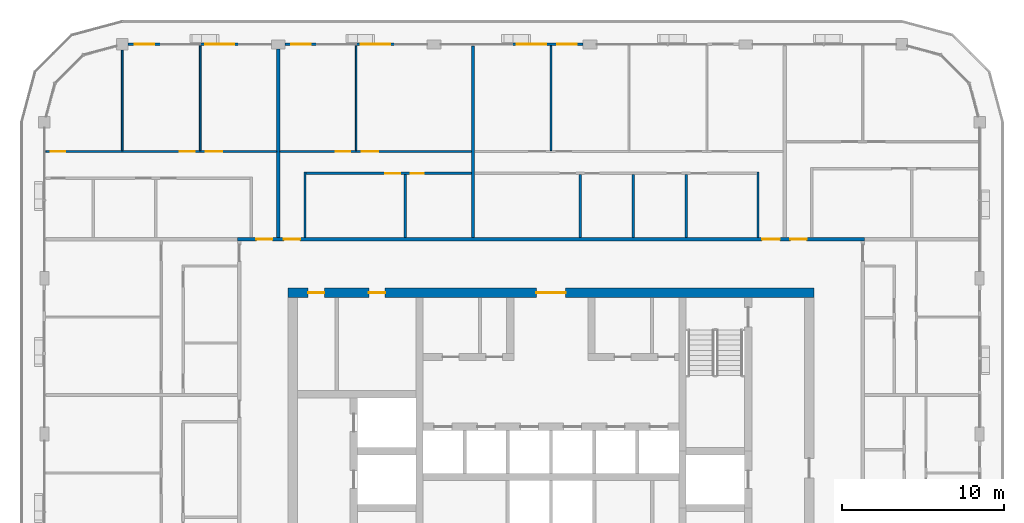
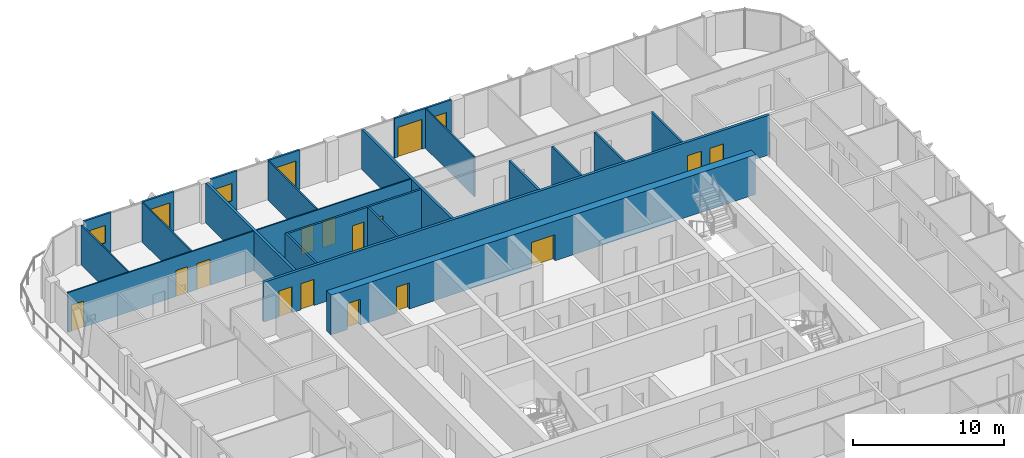
# One storey, part 14 of 21: 22 walls, 17 doors, 3 windows, 20 openings.
"""IFC4 building model written with IfcOpenShell, lengths in metres."""

from ifc_helpers import new_model, si_unit, direction, frame, frame_2d, origin, place, context, subcontext, project, spatial, rectangle, extrude, material, layer, layer_set, type_object, element, fill, save


model = new_model("IFC4")

# Units and contexts
model_context = context("Model", 3, precision=1e-05, world=origin(), true_north=direction((0.0, 1.0)))
body_context = subcontext(model_context, "Body", "Model", "MODEL_VIEW")
ifc_project = project(units=[si_unit("LENGTHUNIT", "METRE"), si_unit("AREAUNIT", "SQUARE_METRE"), si_unit("VOLUMEUNIT", "CUBIC_METRE"), si_unit("PLANEANGLEUNIT", "RADIAN"), si_unit("MASSUNIT", "GRAM", prefix="KILO")], contexts=[model_context])

# Site, building, storey
site_placement = place(None, origin())
site = spatial("IfcSite", under=ifc_project, at=site_placement, CompositionType="ELEMENT")
building_placement = place(site_placement, origin())
building = spatial("IfcBuilding", under=site, at=building_placement, Name="Madar Terraces", CompositionType="ELEMENT")
storey_placement = place(building_placement, frame((0.0, 0.0, 238.699951171875)))
storey = spatial("IfcBuildingStorey", under=building, at=storey_placement, Name="L62", CompositionType="ELEMENT", Elevation=238.699951171875)

# Wall, openings, doors
ifc_material_1 = material(Name="Concrete C55/67", Category="concrete")
ifc_layer_1 = layer(ifc_material_1, 0.60009765625)
ifc_layer_set_1 = layer_set([ifc_layer_1], Name="Concrete C55/67 (CRW5 RC wall 600)")
wall_type_1 = type_object("IfcWallType", Name="CRW5 RC wall 600", PredefinedType="SHEAR", material=ifc_layer_set_1)
wall_1_placement = place(storey_placement, frame((15.0, 37.5, 0.0), z_axis=(0.0, 0.0, 1.0), x_axis=(1.0, 0.0, 0.0)))
wall_1 = element("IfcWall", 1, at=wall_1_placement, inside=storey, type_object=wall_type_1, Name="CORE OUTER WALL", PredefinedType="SHEAR", context=body_context, shape_type="SweptSolid", body=[
    extrude(rectangle(XDim=32.39990234375, YDim=0.60009765625, at=frame_2d((16.199951171875, 0.0))), origin(), (0.0, 0.0, 1.0), 3.199951171875),
])
opening_1_placement = place(wall_1_placement, frame((15.300048828125, 0.0, 0.0)))
opening_1 = element("IfcOpeningElement", 2, at=opening_1_placement, cuts=wall_1, Name="Opening KD1", PredefinedType="OPENING", context=body_context, shape_type="SweptSolid", body=[
    extrude(rectangle(XDim=1.800048828125, YDim=2.10009765625, at=frame_2d((0.89990234375, 1.050048828125))), frame((0.0, 0.31005859375, 0.0), z_axis=(0.0, -1.0, 0.0), x_axis=(1.0, 0.0, 0.0)), (0.0, 0.0, 1.0), 0.6201171875),
])
opening_2_placement = place(wall_1_placement, frame((1.25048828125, 0.0, 0.0)))
opening_2 = element("IfcOpeningElement", 3, at=opening_2_placement, cuts=wall_1, Name="Opening KD2", PredefinedType="OPENING", context=body_context, shape_type="SweptSolid", body=[
    extrude(rectangle(XDim=1.0, YDim=2.10009765625, at=frame_2d((0.5, 1.050048828125))), frame((0.0, 0.31005859375, 0.0), z_axis=(0.0, -1.0, 0.0), x_axis=(1.0, 0.0, 0.0)), (0.0, 0.0, 1.0), 0.6201171875),
])
opening_3_placement = place(wall_1_placement, frame((4.98779296875, 0.0, 0.0)))
opening_3 = element("IfcOpeningElement", 4, at=opening_3_placement, cuts=wall_1, Name="Opening KD2", PredefinedType="OPENING", context=body_context, shape_type="SweptSolid", body=[
    extrude(rectangle(XDim=1.0, YDim=2.10009765625, at=frame_2d((0.5, 1.050048828125))), frame((0.0, 0.31005859375, 0.0), z_axis=(0.0, -1.0, 0.0), x_axis=(1.0, 0.0, 0.0)), (0.0, 0.0, 1.0), 0.6201171875),
])
ifc_material_2 = material(Name="Steel door leaf", Category="steel")
door_type_1 = type_object("IfcDoorType", Name="Lobby door pair 1800 x 2100", OperationType="DOUBLE_DOOR_SINGLE_SWING", PredefinedType="DOOR", material=ifc_material_2)
door_1_placement = place(opening_1_placement, origin())
door_1 = element("IfcDoor", 5, at=door_1_placement, inside=storey, type_object=door_type_1, Name="LIFT LOBBY DOOR", OperationType="DOUBLE_DOOR_SINGLE_SWING", OverallHeight=2.10009765625, OverallWidth=1.800048828125, PredefinedType="DOOR", context=body_context, shape_type="SweptSolid", body=[
    extrude(rectangle(XDim=1.800048828125, YDim=2.10009765625, at=frame_2d((0.89990234375, 1.050048828125))), frame((0.0, 0.02490234375, 0.0), z_axis=(0.0, -1.0, 0.0), x_axis=(1.0, 0.0, 0.0)), (0.0, 0.0, 1.0), 0.050048828125),
])
fill(opening_1, door_1)
ifc_material_3 = material(Name="Steel door leaf", Category="steel")
door_type_2 = type_object("IfcDoorType", Name="Service room door 1000 x 2100", OperationType="NOTDEFINED", PredefinedType="DOOR", material=ifc_material_3)
door_2_placement = place(opening_2_placement, origin())
door_2 = element("IfcDoor", 6, at=door_2_placement, inside=storey, type_object=door_type_2, Name="SERVICE ROOM DOOR", OperationType="SINGLE_SWING_LEFT", OverallHeight=2.10009765625, OverallWidth=1.0, PredefinedType="DOOR", context=body_context, shape_type="SweptSolid", body=[
    extrude(rectangle(XDim=1.0, YDim=2.10009765625, at=frame_2d((0.5, 1.050048828125))), frame((0.0, 0.02490234375, 0.0), z_axis=(0.0, -1.0, 0.0), x_axis=(1.0, 0.0, 0.0)), (0.0, 0.0, 1.0), 0.050048828125),
])
fill(opening_2, door_2)
door_3_placement = place(opening_3_placement, origin())
door_3 = element("IfcDoor", 7, at=door_3_placement, inside=storey, type_object=door_type_2, Name="SERVICE ROOM DOOR", OperationType="SINGLE_SWING_RIGHT", OverallHeight=2.10009765625, OverallWidth=1.0, PredefinedType="DOOR", context=body_context, shape_type="SweptSolid", body=[
    extrude(rectangle(XDim=1.0, YDim=2.10009765625, at=frame_2d((0.5, 1.050048828125))), frame((0.0, 0.02490234375, 0.0), z_axis=(0.0, -1.0, 0.0), x_axis=(1.0, 0.0, 0.0)), (0.0, 0.0, 1.0), 0.050048828125),
])
fill(opening_3, door_3)

# Wall, openings, door, window
ifc_material_4 = material(Name="Aluminium composite panel, black, over insulated backing", Category="aluminium")
ifc_layer_2 = layer(ifc_material_4, 0.14990234375)
ifc_layer_set_2 = layer_set([ifc_layer_2], Name="Facade bay panel 150")
wall_type_2 = type_object("IfcWallType", Name="Facade bay panel 150", PredefinedType="SOLIDWALL", material=ifc_layer_set_2)
wall_2_placement = place(storey_placement, frame((33.175048828125, 52.800048828125, 0.0), z_axis=(0.0, 0.0, 1.0), x_axis=(-1.0, 0.0, 0.0)))
wall_2 = element("IfcWall", 8, at=wall_2_placement, inside=storey, type_object=wall_type_2, Name="Facade bay panel", PredefinedType="SOLIDWALL", context=body_context, shape_type="SweptSolid", body=[
    extrude(rectangle(XDim=4.375, YDim=0.14990234375, at=frame_2d((2.1875, 0.0))), origin(), (0.0, 0.0, 1.0), 3.199951171875),
])
opening_4_placement = place(wall_2_placement, frame((0.387451171875, 0.0, 0.89990234375)))
opening_4 = element("IfcOpeningElement", 9, at=opening_4_placement, cuts=wall_2, Name="Opening W1", PredefinedType="OPENING", context=body_context, shape_type="SweptSolid", body=[
    extrude(rectangle(XDim=1.199951171875, YDim=1.39990234375, at=frame_2d((0.60009765625, 0.699951171875))), frame((0.0, 0.0849609375, 0.0), z_axis=(0.0, -1.0, 0.0), x_axis=(1.0, 0.0, 0.0)), (0.0, 0.0, 1.0), 0.169921875),
])
opening_5_placement = place(wall_2_placement, frame((2.27490234375, 0.0, 0.0)))
opening_5 = element("IfcOpeningElement", 10, at=opening_5_placement, cuts=wall_2, Name="Opening ED1", PredefinedType="OPENING", context=body_context, shape_type="SweptSolid", body=[
    extrude(rectangle(XDim=1.800048828125, YDim=2.39990234375, at=frame_2d((0.89990234375, 1.199951171875))), frame((0.0, 0.0849609375, 0.0), z_axis=(0.0, -1.0, 0.0), x_axis=(1.0, 0.0, 0.0)), (0.0, 0.0, 1.0), 0.169921875),
])
ifc_material_5 = material(Name="Glass, clear, with black aluminium frame", Category="aluminium")
door_type_3 = type_object("IfcDoorType", Name="Balcony and terrace sliding door 1800 x 2400", OperationType="SLIDING_TO_LEFT", PredefinedType="DOOR", material=ifc_material_5)
door_4_placement = place(opening_5_placement, origin())
door_4 = element("IfcDoor", 11, at=door_4_placement, inside=storey, type_object=door_type_3, Name="Balcony door", OperationType="SLIDING_TO_RIGHT", OverallHeight=2.39990234375, OverallWidth=1.800048828125, PredefinedType="DOOR", context=body_context, shape_type="SweptSolid", body=[
    extrude(rectangle(XDim=1.800048828125, YDim=2.39990234375, at=frame_2d((0.89990234375, 1.199951171875))), frame((0.0, 0.02490234375, 0.0), z_axis=(0.0, -1.0, 0.0), x_axis=(1.0, 0.0, 0.0)), (0.0, 0.0, 1.0), 0.050048828125),
])
fill(opening_5, door_4)
ifc_material_6 = material(Name="Glass, clear, with black aluminium frame", Category="aluminium")
window_type = type_object("IfcWindowType", Name="Vent window 1200 x 1400", PartitioningType="SINGLE_PANEL", PredefinedType="WINDOW", material=ifc_material_6)
window_1_placement = place(opening_4_placement, origin())
window_1 = element("IfcWindow", 12, at=window_1_placement, inside=storey, type_object=window_type, Name="Operable vent window", OverallHeight=1.39990234375, OverallWidth=1.199951171875, PartitioningType="SINGLE_PANEL", PredefinedType="WINDOW", context=body_context, shape_type="SweptSolid", body=[
    extrude(rectangle(XDim=1.199951171875, YDim=1.39990234375, at=frame_2d((0.60009765625, 0.699951171875))), frame((0.0, 0.030029296875, 0.0), z_axis=(0.0, -1.0, 0.0), x_axis=(1.0, 0.0, 0.0)), (0.0, 0.0, 1.0), 0.06005859375),
])
fill(opening_4, window_1)

# Wall, opening, door
wall_3_placement = place(storey_placement, frame((21.60009765625, 52.800048828125, 0.0), z_axis=(0.0, 0.0, 1.0), x_axis=(-1.0, 0.0, 0.0)))
wall_3 = element("IfcWall", 13, at=wall_3_placement, inside=storey, type_object=wall_type_2, Name="Facade bay panel", PredefinedType="SOLIDWALL", context=body_context, shape_type="SweptSolid", body=[
    extrude(rectangle(XDim=2.400146484375, YDim=0.14990234375, at=frame_2d((1.2001953125, 0.0))), origin(), (0.0, 0.0, 1.0), 3.199951171875),
])
opening_6_placement = place(wall_3_placement, frame((0.300048828125, 0.0, 0.0)))
opening_6 = element("IfcOpeningElement", 14, at=opening_6_placement, cuts=wall_3, Name="Opening ED1", PredefinedType="OPENING", context=body_context, shape_type="SweptSolid", body=[
    extrude(rectangle(XDim=1.800048828125, YDim=2.39990234375, at=frame_2d((0.89990234375, 1.199951171875))), frame((0.0, 0.0849609375, 0.0), z_axis=(0.0, -1.0, 0.0), x_axis=(1.0, 0.0, 0.0)), (0.0, 0.0, 1.0), 0.169921875),
])
door_5_placement = place(opening_6_placement, origin())
door_5 = element("IfcDoor", 15, at=door_5_placement, inside=storey, type_object=door_type_3, Name="Balcony door", OperationType="SLIDING_TO_LEFT", OverallHeight=2.39990234375, OverallWidth=1.800048828125, PredefinedType="DOOR", context=body_context, shape_type="SweptSolid", body=[
    extrude(rectangle(XDim=1.800048828125, YDim=2.39990234375, at=frame_2d((0.89990234375, 1.199951171875))), frame((0.0, 0.02490234375, 0.0), z_axis=(0.0, -1.0, 0.0), x_axis=(1.0, 0.0, 0.0)), (0.0, 0.0, 1.0), 0.050048828125),
])
fill(opening_6, door_5)

# Wall, opening, window
wall_4_placement = place(storey_placement, frame((16.800048828125, 52.800048828125, 0.0), z_axis=(0.0, 0.0, 1.0), x_axis=(-1.0, 0.0, 0.0)))
wall_4 = element("IfcWall", 16, at=wall_4_placement, inside=storey, type_object=wall_type_2, Name="Facade bay panel", PredefinedType="SOLIDWALL", context=body_context, shape_type="SweptSolid", body=[
    extrude(rectangle(XDim=1.97509765625, YDim=0.14990234375, at=frame_2d((0.987548828125, 0.0))), origin(), (0.0, 0.0, 1.0), 3.199951171875),
])
opening_7_placement = place(wall_4_placement, frame((0.387451171875, 0.0, 0.89990234375)))
opening_7 = element("IfcOpeningElement", 17, at=opening_7_placement, cuts=wall_4, Name="Opening W1", PredefinedType="OPENING", context=body_context, shape_type="SweptSolid", body=[
    extrude(rectangle(XDim=1.199951171875, YDim=1.39990234375, at=frame_2d((0.60009765625, 0.699951171875))), frame((0.0, 0.0849609375, 0.0), z_axis=(0.0, -1.0, 0.0), x_axis=(1.0, 0.0, 0.0)), (0.0, 0.0, 1.0), 0.169921875),
])
window_2_placement = place(opening_7_placement, origin())
window_2 = element("IfcWindow", 18, at=window_2_placement, inside=storey, type_object=window_type, Name="Operable vent window", OverallHeight=1.39990234375, OverallWidth=1.199951171875, PartitioningType="SINGLE_PANEL", PredefinedType="WINDOW", context=body_context, shape_type="SweptSolid", body=[
    extrude(rectangle(XDim=1.199951171875, YDim=1.39990234375, at=frame_2d((0.60009765625, 0.699951171875))), frame((0.0, 0.030029296875, 0.0), z_axis=(0.0, -1.0, 0.0), x_axis=(1.0, 0.0, 0.0)), (0.0, 0.0, 1.0), 0.06005859375),
])
fill(opening_7, window_2)

# Wall, opening, door
wall_5_placement = place(storey_placement, frame((12.0, 52.800048828125, 0.0), z_axis=(0.0, 0.0, 1.0), x_axis=(-1.0, 0.0, 0.0)))
wall_5 = element("IfcWall", 19, at=wall_5_placement, inside=storey, type_object=wall_type_2, Name="Facade bay panel", PredefinedType="SOLIDWALL", context=body_context, shape_type="SweptSolid", body=[
    extrude(rectangle(XDim=2.39990234375, YDim=0.14990234375, at=frame_2d((1.199951171875, 0.0))), origin(), (0.0, 0.0, 1.0), 3.199951171875),
])
opening_8_placement = place(wall_5_placement, frame((0.300048828125, 0.0, 0.0)))
opening_8 = element("IfcOpeningElement", 20, at=opening_8_placement, cuts=wall_5, Name="Opening ED1", PredefinedType="OPENING", context=body_context, shape_type="SweptSolid", body=[
    extrude(rectangle(XDim=1.800048828125, YDim=2.39990234375, at=frame_2d((0.89990234375, 1.199951171875))), frame((0.0, 0.0849609375, 0.0), z_axis=(0.0, -1.0, 0.0), x_axis=(1.0, 0.0, 0.0)), (0.0, 0.0, 1.0), 0.169921875),
])
door_6_placement = place(opening_8_placement, origin())
door_6 = element("IfcDoor", 21, at=door_6_placement, inside=storey, type_object=door_type_3, Name="Balcony door", OperationType="SLIDING_TO_RIGHT", OverallHeight=2.39990234375, OverallWidth=1.800048828125, PredefinedType="DOOR", context=body_context, shape_type="SweptSolid", body=[
    extrude(rectangle(XDim=1.800048828125, YDim=2.39990234375, at=frame_2d((0.89990234375, 1.199951171875))), frame((0.0, 0.02490234375, 0.0), z_axis=(0.0, -1.0, 0.0), x_axis=(1.0, 0.0, 0.0)), (0.0, 0.0, 1.0), 0.050048828125),
])
fill(opening_8, door_6)

# Wall, opening, window
wall_6_placement = place(storey_placement, frame((7.199951171875, 52.800048828125, 0.0), z_axis=(0.0, 0.0, 1.0), x_axis=(-1.0, 0.0, 0.0)))
wall_6 = element("IfcWall", 22, at=wall_6_placement, inside=storey, type_object=wall_type_2, Name="Facade bay panel", PredefinedType="SOLIDWALL", context=body_context, shape_type="SweptSolid", body=[
    extrude(rectangle(XDim=2.050048828125, YDim=0.14990234375, at=frame_2d((1.02490234375, 0.0))), origin(), (0.0, 0.0, 1.0), 3.199951171875),
])
opening_9_placement = place(wall_6_placement, frame((0.425048828125, 0.0, 0.89990234375)))
opening_9 = element("IfcOpeningElement", 23, at=opening_9_placement, cuts=wall_6, Name="Opening W1", PredefinedType="OPENING", context=body_context, shape_type="SweptSolid", body=[
    extrude(rectangle(XDim=1.199951171875, YDim=1.39990234375, at=frame_2d((0.60009765625, 0.699951171875))), frame((0.0, 0.0849609375, 0.0), z_axis=(0.0, -1.0, 0.0), x_axis=(1.0, 0.0, 0.0)), (0.0, 0.0, 1.0), 0.169921875),
])
window_3_placement = place(opening_9_placement, origin())
window_3 = element("IfcWindow", 24, at=window_3_placement, inside=storey, type_object=window_type, Name="Operable vent window", OverallHeight=1.39990234375, OverallWidth=1.199951171875, PartitioningType="SINGLE_PANEL", PredefinedType="WINDOW", context=body_context, shape_type="SweptSolid", body=[
    extrude(rectangle(XDim=1.199951171875, YDim=1.39990234375, at=frame_2d((0.60009765625, 0.699951171875))), frame((0.0, 0.030029296875, 0.0), z_axis=(0.0, -1.0, 0.0), x_axis=(1.0, 0.0, 0.0)), (0.0, 0.0, 1.0), 0.06005859375),
])
fill(opening_9, window_3)

# Walls
ifc_material_7 = material(Name="Gypsum board on steel studs", Category="steel")
ifc_layer_3 = layer(ifc_material_7, 0.10009765625)
ifc_layer_set_3 = layer_set([ifc_layer_3], Name="Flat partition 100")
wall_type_3 = type_object("IfcWallType", Name="Flat partition 100", PredefinedType="PARTITIONING", material=ifc_layer_set_3)
for number, where, z_axis, x_axis, name in (
    (25, (31.199951171875, 46.25, 0.0), (0.0, 0.0, 1.0), (0.0, 1.0, 0.0), "Flat partition 100"),
    (26, (19.199951171875, 46.25, 0.0), (0.0, 0.0, 1.0), (0.0, 1.0, 0.0), "Flat partition 100"),
):
    element("IfcWall", number, at=place(storey_placement, frame(where, z_axis=z_axis, x_axis=x_axis)), inside=storey, type_object=wall_type_3, Name=name, PredefinedType="PARTITIONING", context=body_context, shape_type="SweptSolid", body=[
        extrude(rectangle(XDim=6.449951171875, YDim=0.10009765625, at=frame_2d((3.22509765625, 0.0))), origin(), (0.0, 0.0, 1.0), 3.199951171875),
    ])

# Wall, openings, doors
wall_7_placement = place(storey_placement, frame((14.5, 46.199951171875, 0.0), z_axis=(0.0, 0.0, 1.0), x_axis=(1.0, 0.0, 0.0)))
wall_7 = element("IfcWall", 27, at=wall_7_placement, inside=storey, type_object=wall_type_3, Name="Flat partition 100", PredefinedType="PARTITIONING", context=body_context, shape_type="SweptSolid", body=[
    extrude(rectangle(XDim=11.800048828125, YDim=0.10009765625, at=frame_2d((5.89990234375, 0.0))), origin(), (0.0, 0.0, 1.0), 3.199951171875),
])
opening_10_placement = place(wall_7_placement, frame((3.449951171875, 0.0, 0.0)))
opening_10 = element("IfcOpeningElement", 28, at=opening_10_placement, cuts=wall_7, Name="Opening D2", PredefinedType="OPENING", context=body_context, shape_type="SweptSolid", body=[
    extrude(rectangle(XDim=0.89990234375, YDim=2.10009765625, at=frame_2d((0.449951171875, 1.050048828125))), frame((0.0, 0.06005859375, 0.0), z_axis=(0.0, -1.0, 0.0), x_axis=(1.0, 0.0, 0.0)), (0.0, 0.0, 1.0), 0.1201171875),
])
opening_11_placement = place(wall_7_placement, frame((5.050048828125, 0.0, 0.0)))
opening_11 = element("IfcOpeningElement", 29, at=opening_11_placement, cuts=wall_7, Name="Opening D3", PredefinedType="OPENING", context=body_context, shape_type="SweptSolid", body=[
    extrude(rectangle(XDim=1.0, YDim=2.10009765625, at=frame_2d((0.5, 1.050048828125))), frame((0.0, 0.06005859375, 0.0), z_axis=(0.0, -1.0, 0.0), x_axis=(1.0, 0.0, 0.0)), (0.0, 0.0, 1.0), 0.1201171875),
])
ifc_material_8 = material(Name="Timber door leaf", Category="wood")
door_type_4 = type_object("IfcDoorType", Name="Flat living room door 1000", OperationType="NOTDEFINED", PredefinedType="DOOR", material=ifc_material_8)
door_7_placement = place(opening_11_placement, origin())
door_7 = element("IfcDoor", 30, at=door_7_placement, inside=storey, type_object=door_type_4, Name="Flat living room door 1000", OperationType="SINGLE_SWING_LEFT", OverallHeight=2.10009765625, OverallWidth=1.0, PredefinedType="DOOR", context=body_context, shape_type="SweptSolid", body=[
    extrude(rectangle(XDim=1.0, YDim=2.10009765625, at=frame_2d((0.5, 1.050048828125))), frame((0.0, 0.02490234375, 0.0), z_axis=(0.0, -1.0, 0.0), x_axis=(1.0, 0.0, 0.0)), (0.0, 0.0, 1.0), 0.050048828125),
])
fill(opening_11, door_7)
ifc_material_9 = material(Name="Timber door leaf", Category="wood")
door_type_5 = type_object("IfcDoorType", Name="Flat room door 900", OperationType="NOTDEFINED", PredefinedType="DOOR", material=ifc_material_9)
door_8_placement = place(opening_10_placement, origin())
door_8 = element("IfcDoor", 31, at=door_8_placement, inside=storey, type_object=door_type_5, Name="Flat room door 900", OperationType="SINGLE_SWING_RIGHT", OverallHeight=2.10009765625, OverallWidth=0.89990234375, PredefinedType="DOOR", context=body_context, shape_type="SweptSolid", body=[
    extrude(rectangle(XDim=0.89990234375, YDim=2.10009765625, at=frame_2d((0.449951171875, 1.050048828125))), frame((0.0, 0.02490234375, 0.0), z_axis=(0.0, -1.0, 0.0), x_axis=(1.0, 0.0, 0.0)), (0.0, 0.0, 1.0), 0.050048828125),
])
fill(opening_10, door_8)

# Walls
wall_8_placement = place(storey_placement, frame((9.60009765625, 46.25, 0.0), z_axis=(0.0, 0.0, 1.0), x_axis=(0.0, 1.0, 0.0)))
element("IfcWall", 32, at=wall_8_placement, inside=storey, type_object=wall_type_3, Name="Flat partition 100", PredefinedType="PARTITIONING", context=body_context, shape_type="SweptSolid", body=[
    extrude(rectangle(XDim=6.449951171875, YDim=0.10009765625, at=frame_2d((3.22509765625, 0.0))), origin(), (0.0, 0.0, 1.0), 3.199951171875),
])
wall_9_placement = place(storey_placement, frame((4.800048828125, 46.25, 0.0), z_axis=(0.0, 0.0, 1.0), x_axis=(0.0, 1.0, 0.0)))
element("IfcWall", 33, at=wall_9_placement, inside=storey, type_object=wall_type_3, Name="Flat partition 100", PredefinedType="PARTITIONING", context=body_context, shape_type="SweptSolid", body=[
    extrude(rectangle(XDim=6.199951171875, YDim=0.10009765625, at=frame_2d((3.10009765625, 0.0))), origin(), (0.0, 0.0, 1.0), 3.199951171875),
])

# Wall, openings, doors
wall_10_placement = place(storey_placement, frame((0.10009765625, 46.199951171875, 0.0), z_axis=(0.0, 0.0, 1.0), x_axis=(1.0, 0.0, 0.0)))
wall_10 = element("IfcWall", 34, at=wall_10_placement, inside=storey, type_object=wall_type_3, Name="Flat partition 100", PredefinedType="PARTITIONING", context=body_context, shape_type="SweptSolid", body=[
    extrude(rectangle(XDim=14.199951171875, YDim=0.10009765625, at=frame_2d((7.10009765625, 0.0))), origin(), (0.0, 0.0, 1.0), 3.199951171875),
])
opening_12_placement = place(wall_10_placement, frame((9.85009765625, 0.0, 0.0)))
opening_12 = element("IfcOpeningElement", 35, at=opening_12_placement, cuts=wall_10, Name="Opening D3", PredefinedType="OPENING", context=body_context, shape_type="SweptSolid", body=[
    extrude(rectangle(XDim=1.0, YDim=2.10009765625, at=frame_2d((0.5, 1.050048828125))), frame((0.0, 0.06005859375, 0.0), z_axis=(0.0, -1.0, 0.0), x_axis=(1.0, 0.0, 0.0)), (0.0, 0.0, 1.0), 0.1201171875),
])
opening_13_placement = place(wall_10_placement, frame((8.25, 0.0, 0.0)))
opening_13 = element("IfcOpeningElement", 36, at=opening_13_placement, cuts=wall_10, Name="Opening D2", PredefinedType="OPENING", context=body_context, shape_type="SweptSolid", body=[
    extrude(rectangle(XDim=0.89990234375, YDim=2.10009765625, at=frame_2d((0.449951171875, 1.050048828125))), frame((0.0, 0.06005859375, 0.0), z_axis=(0.0, -1.0, 0.0), x_axis=(1.0, 0.0, 0.0)), (0.0, 0.0, 1.0), 0.1201171875),
])
opening_14_placement = place(wall_10_placement, frame((0.300048828125, 0.0, 0.0)))
opening_14 = element("IfcOpeningElement", 37, at=opening_14_placement, cuts=wall_10, Name="Opening D2", PredefinedType="OPENING", context=body_context, shape_type="SweptSolid", body=[
    extrude(rectangle(XDim=0.89990234375, YDim=2.10009765625, at=frame_2d((0.449951171875, 1.050048828125))), frame((0.0, 0.06005859375, 0.0), z_axis=(0.0, -1.0, 0.0), x_axis=(1.0, 0.0, 0.0)), (0.0, 0.0, 1.0), 0.1201171875),
])
door_9_placement = place(opening_12_placement, origin())
door_9 = element("IfcDoor", 38, at=door_9_placement, inside=storey, type_object=door_type_4, Name="Flat living room door 1000", OperationType="SINGLE_SWING_LEFT", OverallHeight=2.10009765625, OverallWidth=1.0, PredefinedType="DOOR", context=body_context, shape_type="SweptSolid", body=[
    extrude(rectangle(XDim=1.0, YDim=2.10009765625, at=frame_2d((0.5, 1.050048828125))), frame((0.0, 0.02490234375, 0.0), z_axis=(0.0, -1.0, 0.0), x_axis=(1.0, 0.0, 0.0)), (0.0, 0.0, 1.0), 0.050048828125),
])
fill(opening_12, door_9)
door_10_placement = place(opening_13_placement, origin())
door_10 = element("IfcDoor", 39, at=door_10_placement, inside=storey, type_object=door_type_5, Name="Flat room door 900", OperationType="SINGLE_SWING_RIGHT", OverallHeight=2.10009765625, OverallWidth=0.89990234375, PredefinedType="DOOR", context=body_context, shape_type="SweptSolid", body=[
    extrude(rectangle(XDim=0.89990234375, YDim=2.10009765625, at=frame_2d((0.449951171875, 1.050048828125))), frame((0.0, 0.02490234375, 0.0), z_axis=(0.0, -1.0, 0.0), x_axis=(1.0, 0.0, 0.0)), (0.0, 0.0, 1.0), 0.050048828125),
])
fill(opening_13, door_10)
door_11_placement = place(opening_14_placement, origin())
door_11 = element("IfcDoor", 40, at=door_11_placement, inside=storey, type_object=door_type_5, Name="Flat room door 900", OperationType="SINGLE_SWING_LEFT", OverallHeight=2.10009765625, OverallWidth=0.89990234375, PredefinedType="DOOR", context=body_context, shape_type="SweptSolid", body=[
    extrude(rectangle(XDim=0.89990234375, YDim=2.10009765625, at=frame_2d((0.449951171875, 1.050048828125))), frame((0.0, 0.02490234375, 0.0), z_axis=(0.0, -1.0, 0.0), x_axis=(1.0, 0.0, 0.0)), (0.0, 0.0, 1.0), 0.050048828125),
])
fill(opening_14, door_11)

ifc_material_10 = material(Name="Lightweight blockwork", Category="masonry")
ifc_layer_4 = layer(ifc_material_10, 0.199951171875)
ifc_layer_set_4 = layer_set([ifc_layer_4], Name="Flat party and entrance wall 200")
wall_type_4 = type_object("IfcWallType", Name="Flat party and entrance wall 200", PredefinedType="PARTITIONING", material=ifc_layer_set_4)
wall_11_placement = place(storey_placement, frame((11.89990234375, 40.800048828125, 0.0), z_axis=(0.0, 0.0, 1.0), x_axis=(1.0, 0.0, 0.0)))
wall_11 = element("IfcWall", 41, at=wall_11_placement, inside=storey, type_object=wall_type_4, Name="Flat party and entrance wall 200", PredefinedType="PARTITIONING", context=body_context, shape_type="SweptSolid", body=[
    extrude(rectangle(XDim=38.60009765625, YDim=0.199951171875, at=frame_2d((19.300048828125, 0.0))), origin(), (0.0, 0.0, 1.0), 3.199951171875),
])
opening_15_placement = place(wall_11_placement, frame((34.050048828125, 0.0, 0.0)))
opening_15 = element("IfcOpeningElement", 42, at=opening_15_placement, cuts=wall_11, Name="Opening D1", PredefinedType="OPENING", context=body_context, shape_type="SweptSolid", body=[
    extrude(rectangle(XDim=1.0, YDim=2.10009765625, at=frame_2d((0.5, 1.050048828125))), frame((0.0, 0.10986328125, 0.0), z_axis=(0.0, -1.0, 0.0), x_axis=(1.0, 0.0, 0.0)), (0.0, 0.0, 1.0), 0.219970703125),
])
opening_16_placement = place(wall_11_placement, frame((32.300048828125, 0.0, 0.0)))
opening_16 = element("IfcOpeningElement", 43, at=opening_16_placement, cuts=wall_11, Name="Opening D6", PredefinedType="OPENING", context=body_context, shape_type="SweptSolid", body=[
    extrude(rectangle(XDim=1.10009765625, YDim=2.10009765625, at=frame_2d((0.550048828125, 1.050048828125))), frame((0.0, 0.10986328125, 0.0), z_axis=(0.0, -1.0, 0.0), x_axis=(1.0, 0.0, 0.0)), (0.0, 0.0, 1.0), 0.219970703125),
])
opening_17_placement = place(wall_11_placement, frame((2.85009765625, 0.0, 0.0)))
opening_17 = element("IfcOpeningElement", 44, at=opening_17_placement, cuts=wall_11, Name="Opening D1", PredefinedType="OPENING", context=body_context, shape_type="SweptSolid", body=[
    extrude(rectangle(XDim=1.0, YDim=2.10009765625, at=frame_2d((0.5, 1.050048828125))), frame((0.0, 0.10986328125, 0.0), z_axis=(0.0, -1.0, 0.0), x_axis=(1.0, 0.0, 0.0)), (0.0, 0.0, 1.0), 0.219970703125),
])
opening_18_placement = place(wall_11_placement, frame((1.14990234375, 0.0, 0.0)))
opening_18 = element("IfcOpeningElement", 45, at=opening_18_placement, cuts=wall_11, Name="Opening D1", PredefinedType="OPENING", context=body_context, shape_type="SweptSolid", body=[
    extrude(rectangle(XDim=1.0, YDim=2.10009765625, at=frame_2d((0.5, 1.050048828125))), frame((0.0, 0.10986328125, 0.0), z_axis=(0.0, -1.0, 0.0), x_axis=(1.0, 0.0, 0.0)), (0.0, 0.0, 1.0), 0.219970703125),
])
ifc_material_11 = material(Name="Timber fire door leaf", Category="wood")
door_type_6 = type_object("IfcDoorType", Name="Flat entrance door 1000 FD30S", OperationType="NOTDEFINED", PredefinedType="DOOR", material=ifc_material_11)
door_12_placement = place(opening_15_placement, origin())
door_12 = element("IfcDoor", 46, at=door_12_placement, inside=storey, type_object=door_type_6, Name="Flat entrance door 1000 FD30S", OperationType="SINGLE_SWING_LEFT", OverallHeight=2.10009765625, OverallWidth=1.0, PredefinedType="DOOR", context=body_context, shape_type="SweptSolid", body=[
    extrude(rectangle(XDim=1.0, YDim=2.10009765625, at=frame_2d((0.5, 1.050048828125))), frame((0.0, 0.02490234375, 0.0), z_axis=(0.0, -1.0, 0.0), x_axis=(1.0, 0.0, 0.0)), (0.0, 0.0, 1.0), 0.050048828125),
])
fill(opening_15, door_12)
door_13_placement = place(opening_17_placement, origin())
door_13 = element("IfcDoor", 47, at=door_13_placement, inside=storey, type_object=door_type_6, Name="Flat entrance door 1000 FD30S", OperationType="SINGLE_SWING_LEFT", OverallHeight=2.10009765625, OverallWidth=1.0, PredefinedType="DOOR", context=body_context, shape_type="SweptSolid", body=[
    extrude(rectangle(XDim=1.0, YDim=2.10009765625, at=frame_2d((0.5, 1.050048828125))), frame((0.0, 0.02490234375, 0.0), z_axis=(0.0, -1.0, 0.0), x_axis=(1.0, 0.0, 0.0)), (0.0, 0.0, 1.0), 0.050048828125),
])
fill(opening_17, door_13)
door_14_placement = place(opening_18_placement, origin())
door_14 = element("IfcDoor", 48, at=door_14_placement, inside=storey, type_object=door_type_6, Name="Flat entrance door 1000 FD30S", OperationType="SINGLE_SWING_RIGHT", OverallHeight=2.10009765625, OverallWidth=1.0, PredefinedType="DOOR", context=body_context, shape_type="SweptSolid", body=[
    extrude(rectangle(XDim=1.0, YDim=2.10009765625, at=frame_2d((0.5, 1.050048828125))), frame((0.0, 0.02490234375, 0.0), z_axis=(0.0, -1.0, 0.0), x_axis=(1.0, 0.0, 0.0)), (0.0, 0.0, 1.0), 0.050048828125),
])
fill(opening_18, door_14)
ifc_material_12 = material(Name="Timber fire door leaf", Category="wood")
door_type_7 = type_object("IfcDoorType", Name="Flat entrance door 1100 FD30S", OperationType="NOTDEFINED", PredefinedType="DOOR", material=ifc_material_12)
door_15_placement = place(opening_16_placement, origin())
door_15 = element("IfcDoor", 49, at=door_15_placement, inside=storey, type_object=door_type_7, Name="Flat entrance door 1100 FD30S", OperationType="SINGLE_SWING_RIGHT", OverallHeight=2.10009765625, OverallWidth=1.10009765625, PredefinedType="DOOR", context=body_context, shape_type="SweptSolid", body=[
    extrude(rectangle(XDim=1.10009765625, YDim=2.10009765625, at=frame_2d((0.550048828125, 1.050048828125))), frame((0.0, 0.02490234375, 0.0), z_axis=(0.0, -1.0, 0.0), x_axis=(1.0, 0.0, 0.0)), (0.0, 0.0, 1.0), 0.050048828125),
])
fill(opening_16, door_15)

# Walls
wall_12_placement = place(storey_placement, frame((26.39990234375, 52.699951171875, 0.0), z_axis=(0.0, 0.0, 1.0), x_axis=(0.0, -1.0, 0.0)))
element("IfcWall", 50, at=wall_12_placement, inside=storey, type_object=wall_type_4, Name="Flat party and entrance wall 200", PredefinedType="PARTITIONING", context=body_context, shape_type="SweptSolid", body=[
    extrude(rectangle(XDim=11.800048828125, YDim=0.199951171875, at=frame_2d((5.89990234375, 0.0))), origin(), (0.0, 0.0, 1.0), 3.199951171875),
])
wall_13_placement = place(storey_placement, frame((14.39990234375, 52.52490234375, 0.0), z_axis=(0.0, 0.0, 1.0), x_axis=(0.0, -1.0, 0.0)))
element("IfcWall", 51, at=wall_13_placement, inside=storey, type_object=wall_type_4, Name="Flat party and entrance wall 200", PredefinedType="PARTITIONING", context=body_context, shape_type="SweptSolid", body=[
    extrude(rectangle(XDim=11.625, YDim=0.199951171875, at=frame_2d((5.8125, 0.0))), origin(), (0.0, 0.0, 1.0), 3.199951171875),
])
ifc_material_13 = material(Name="Lightweight blockwork", Category="masonry")
ifc_layer_5 = layer(ifc_material_13, 0.14990234375)
ifc_layer_set_5 = layer_set([ifc_layer_5], Name="Flat wet-room partition 150")
wall_type_5 = type_object("IfcWallType", Name="Flat wet-room partition 150", PredefinedType="PARTITIONING", material=ifc_layer_set_5)
for number, where, z_axis, x_axis, name in (
    (52, (39.53125, 40.89990234375, 0.0), (0.0, 0.0, 1.0), (0.0, 1.0, 0.0), "Flat wet-room partition 150"),
    (53, (36.2734375, 40.89990234375, 0.0), (0.0, 0.0, 1.0), (0.0, 1.0, 0.0), "Flat wet-room partition 150"),
    (54, (33.015625, 40.89990234375, 0.0), (0.0, 0.0, 1.0), (0.0, 1.0, 0.0), "Flat wet-room partition 150"),
):
    element("IfcWall", number, at=place(storey_placement, frame(where, z_axis=z_axis, x_axis=x_axis)), inside=storey, type_object=wall_type_5, Name=name, PredefinedType="PARTITIONING", context=body_context, shape_type="SweptSolid", body=[
        extrude(rectangle(XDim=3.875, YDim=0.14990234375, at=frame_2d((1.9375, 0.0))), origin(), (0.0, 0.0, 1.0), 3.199951171875),
    ])
wall_14_placement = place(storey_placement, frame((43.949951171875, 40.89990234375, 0.0), z_axis=(0.0, 0.0, 1.0), x_axis=(0.0, 1.0, 0.0)))
element("IfcWall", 55, at=wall_14_placement, inside=storey, type_object=wall_type_5, Name="Flat wet-room partition 150", PredefinedType="PARTITIONING", context=body_context, shape_type="SweptSolid", body=[
    extrude(rectangle(XDim=4.025146484375, YDim=0.14990234375, at=frame_2d((2.0126953125, 0.0))), origin(), (0.0, 0.0, 1.0), 3.199951171875),
])
wall_15_placement = place(storey_placement, frame((22.22998046875, 40.89990234375, 0.0), z_axis=(0.0, 0.0, 1.0), x_axis=(0.0, 1.0, 0.0)))
element("IfcWall", 56, at=wall_15_placement, inside=storey, type_object=wall_type_5, Name="Flat wet-room partition 150", PredefinedType="PARTITIONING", context=body_context, shape_type="SweptSolid", body=[
    extrude(rectangle(XDim=3.875, YDim=0.14990234375, at=frame_2d((1.9375, 0.0))), origin(), (0.0, 0.0, 1.0), 3.199951171875),
])
wall_16_placement = place(storey_placement, frame((16.050048828125, 40.89990234375, 0.0), z_axis=(0.0, 0.0, 1.0), x_axis=(0.0, 1.0, 0.0)))
element("IfcWall", 57, at=wall_16_placement, inside=storey, type_object=wall_type_5, Name="Flat wet-room partition 150", PredefinedType="PARTITIONING", context=body_context, shape_type="SweptSolid", body=[
    extrude(rectangle(XDim=4.025146484375, YDim=0.14990234375, at=frame_2d((2.0126953125, 0.0))), origin(), (0.0, 0.0, 1.0), 3.199951171875),
])

# Wall, openings, doors
wall_17_placement = place(storey_placement, frame((26.300048828125, 44.85009765625, 0.0), z_axis=(0.0, 0.0, 1.0), x_axis=(-1.0, 0.0, 0.0)))
wall_17 = element("IfcWall", 58, at=wall_17_placement, inside=storey, type_object=wall_type_5, Name="Flat wet-room partition 150", PredefinedType="PARTITIONING", context=body_context, shape_type="SweptSolid", body=[
    extrude(rectangle(XDim=10.175048828125, YDim=0.14990234375, at=frame_2d((5.08740234375, 0.0))), origin(), (0.0, 0.0, 1.0), 3.199951171875),
])
opening_19_placement = place(wall_17_placement, frame((4.39501953125, 0.0, 0.0)))
opening_19 = element("IfcOpeningElement", 59, at=opening_19_placement, cuts=wall_17, Name="Opening D2", PredefinedType="OPENING", context=body_context, shape_type="SweptSolid", body=[
    extrude(rectangle(XDim=0.89990234375, YDim=2.10009765625, at=frame_2d((0.449951171875, 1.050048828125))), frame((0.0, 0.0849609375, 0.0), z_axis=(0.0, -1.0, 0.0), x_axis=(1.0, 0.0, 0.0)), (0.0, 0.0, 1.0), 0.169921875),
])
opening_20_placement = place(wall_17_placement, frame((2.945068359375, 0.0, 0.0)))
opening_20 = element("IfcOpeningElement", 60, at=opening_20_placement, cuts=wall_17, Name="Opening D4", PredefinedType="OPENING", context=body_context, shape_type="SweptSolid", body=[
    extrude(rectangle(XDim=0.800048828125, YDim=2.10009765625, at=frame_2d((0.39990234375, 1.050048828125))), frame((0.0, 0.0849609375, 0.0), z_axis=(0.0, -1.0, 0.0), x_axis=(1.0, 0.0, 0.0)), (0.0, 0.0, 1.0), 0.169921875),
])
ifc_material_14 = material(Name="Timber door leaf", Category="wood")
door_type_8 = type_object("IfcDoorType", Name="Flat bathroom door 800", OperationType="NOTDEFINED", PredefinedType="DOOR", material=ifc_material_14)
door_16_placement = place(opening_20_placement, origin())
door_16 = element("IfcDoor", 61, at=door_16_placement, inside=storey, type_object=door_type_8, Name="Flat bathroom door 800", OperationType="SINGLE_SWING_RIGHT", OverallHeight=2.10009765625, OverallWidth=0.800048828125, PredefinedType="DOOR", context=body_context, shape_type="SweptSolid", body=[
    extrude(rectangle(XDim=0.800048828125, YDim=2.10009765625, at=frame_2d((0.39990234375, 1.050048828125))), frame((0.0, 0.02490234375, 0.0), z_axis=(0.0, -1.0, 0.0), x_axis=(1.0, 0.0, 0.0)), (0.0, 0.0, 1.0), 0.050048828125),
])
fill(opening_20, door_16)
door_17_placement = place(opening_19_placement, origin())
door_17 = element("IfcDoor", 62, at=door_17_placement, inside=storey, type_object=door_type_5, Name="Flat room door 900", OperationType="SINGLE_SWING_LEFT", OverallHeight=2.10009765625, OverallWidth=0.89990234375, PredefinedType="DOOR", context=body_context, shape_type="SweptSolid", body=[
    extrude(rectangle(XDim=0.89990234375, YDim=2.10009765625, at=frame_2d((0.449951171875, 1.050048828125))), frame((0.0, 0.02490234375, 0.0), z_axis=(0.0, -1.0, 0.0), x_axis=(1.0, 0.0, 0.0)), (0.0, 0.0, 1.0), 0.050048828125),
])
fill(opening_19, door_17)

save(model, "model.ifc")
